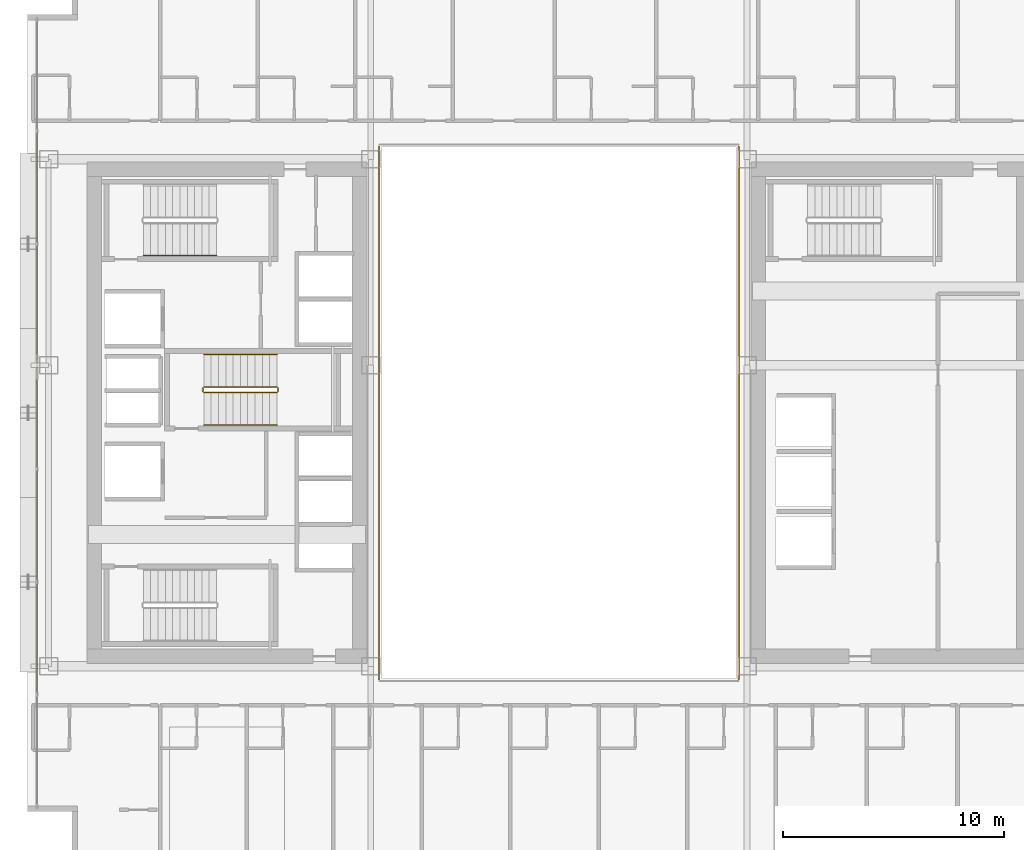
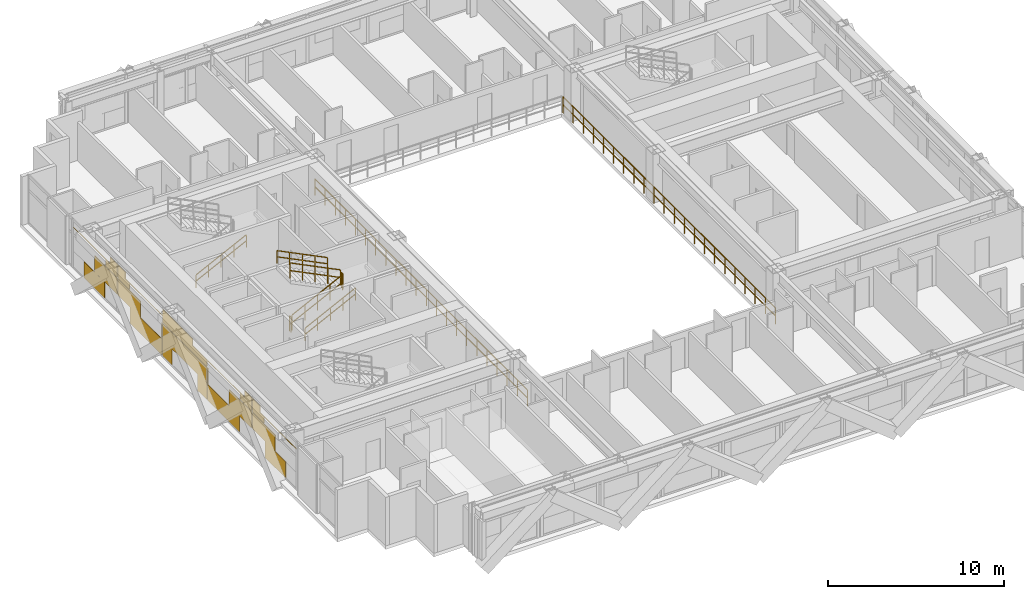
# One storey, part 34 of 36: 9 railings, 1 covering.
"""IFC4 building model written with IfcOpenShell, lengths in metres."""

from ifc_helpers import new_model, si_unit, direction, frame, origin, origin_2d, place, context, subcontext, project, spatial, rectangle, extrude, material, layer, layer_set, type_object, element, save


model = new_model("IFC4")

# Units and contexts
model_context = context("Model", 3, precision=1e-05, world=origin(), true_north=direction((0.0, 1.0)))
body_context = subcontext(model_context, "Body", "Model", "MODEL_VIEW")
ifc_project = project(units=[si_unit("LENGTHUNIT", "METRE"), si_unit("AREAUNIT", "SQUARE_METRE"), si_unit("VOLUMEUNIT", "CUBIC_METRE"), si_unit("PLANEANGLEUNIT", "RADIAN"), si_unit("MASSUNIT", "GRAM", prefix="KILO")], contexts=[model_context])

# Site, building, storey
site_placement = place(None, origin())
site = spatial("IfcSite", under=ifc_project, at=site_placement, CompositionType="ELEMENT")
building_placement = place(site_placement, origin())
building = spatial("IfcBuilding", under=site, at=building_placement, Name="Ocotamira Hotel", CompositionType="ELEMENT")
storey_placement = place(building_placement, frame((0.0, 0.0, 133.199951171875)))
storey = spatial("IfcBuildingStorey", under=building, at=storey_placement, Name="L33", CompositionType="ELEMENT", Elevation=133.199951171875)

# Covering
ifc_material_1 = material(Name="Insulated pale-metal aluminium spandrel panel", Category="aluminium")
ifc_layer = layer(ifc_material_1, 0.044921875)
ifc_layer_set = layer_set([ifc_layer], Name="Insulated pale-metal aluminium spandrel panel")
covering_type = type_object("IfcCoveringType", Name="COV-INFILL-45", PredefinedType="CLADDING", material=ifc_layer_set)
covering_placement = place(storey_placement, origin())
element("IfcCovering", 1, at=covering_placement, inside=storey, type_object=covering_type, Name="L33 Curtain Wall Infill CW-3 CW-L33-W", PredefinedType="CLADDING", context=body_context, shape_type="SweptSolid", body=[
    extrude(rectangle(XDim=2.35107421875, YDim=0.044921875, at=origin_2d()), frame((8.419921875, 15.741943359375, 0.07568359375), z_axis=(0.0, 0.0, 1.0), x_axis=(0.0, 1.0, 0.0)), (0.0, 0.0, 1.0), 1.117919921875),
    extrude(rectangle(XDim=2.578369140625, YDim=0.044921875, at=origin_2d()), frame((8.419921875, 17.041748046875, 1.1943359375), z_axis=(0.0, 0.0, 1.0), x_axis=(0.0, 1.0, 0.0)), (0.0, 0.0, 1.0), 1.11767578125),
    extrude(rectangle(XDim=5.004638671875, YDim=0.044921875, at=origin_2d()), frame((8.419921875, 15.82861328125, 2.802490234375), z_axis=(0.0, 0.0, 1.0), x_axis=(0.0, 1.0, 0.0)), (0.0, 0.0, 1.0), 0.033203125),
    extrude(rectangle(XDim=1.312744140625, YDim=0.044921875, at=origin_2d()), frame((8.419921875, 17.674560546875, 2.38818359375), z_axis=(0.0, 0.0, 1.0), x_axis=(0.0, 1.0, 0.0)), (0.0, 0.0, 1.0), 0.413330078125),
    extrude(rectangle(XDim=0.837158203125, YDim=0.044921875, at=origin_2d()), frame((8.419921875, 17.912353515625, 2.836669921875), z_axis=(0.0, 0.0, 1.0), x_axis=(0.0, 1.0, 0.0)), (0.0, 0.0, 1.0), 0.44775390625),
    extrude(rectangle(XDim=2.568603515625, YDim=0.044921875, at=origin_2d()), frame((8.419921875, 19.6962890625, 1.1943359375), z_axis=(0.0, 0.0, 1.0), x_axis=(0.0, 1.0, 0.0)), (0.0, 0.0, 1.0), 1.11767578125),
    extrude(rectangle(XDim=3.600830078125, YDim=0.044921875, at=origin_2d()), frame((8.419921875, 21.6162109375, 0.07568359375), z_axis=(0.0, 0.0, 1.0), x_axis=(0.0, 1.0, 0.0)), (0.0, 0.0, 1.0), 1.117919921875),
    extrude(rectangle(XDim=0.03076171875, YDim=0.044921875, at=origin_2d()), frame((8.419921875, 23.4013671875, 1.1943359375), z_axis=(0.0, 0.0, 1.0), x_axis=(0.0, 1.0, 0.0)), (0.0, 0.0, 1.0), 1.11767578125),
    extrude(rectangle(XDim=1.302978515625, YDim=0.044921875, at=origin_2d()), frame((8.419921875, 19.0634765625, 2.38818359375), z_axis=(0.0, 0.0, 1.0), x_axis=(0.0, 1.0, 0.0)), (0.0, 0.0, 1.0), 0.413330078125),
    extrude(rectangle(XDim=5.004638671875, YDim=0.044921875, at=origin_2d()), frame((8.419921875, 20.914306640625, 2.802490234375), z_axis=(0.0, 0.0, 1.0), x_axis=(0.0, 1.0, 0.0)), (0.0, 0.0, 1.0), 0.033203125),
    extrude(rectangle(XDim=0.827392578125, YDim=0.044921875, at=origin_2d()), frame((8.419921875, 18.82568359375, 2.836669921875), z_axis=(0.0, 0.0, 1.0), x_axis=(0.0, 1.0, 0.0)), (0.0, 0.0, 1.0), 0.44775390625),
    extrude(rectangle(XDim=1.05322265625, YDim=0.044921875, at=origin_2d()), frame((8.419921875, 24.0244140625, 0.07568359375), z_axis=(0.0, 0.0, 1.0), x_axis=(0.0, 1.0, 0.0)), (0.0, 0.0, 1.0), 1.117919921875),
    extrude(rectangle(XDim=5.004638671875, YDim=0.044921875, at=origin_2d()), frame((8.419921875, 26.0, 1.1943359375), z_axis=(0.0, 0.0, 1.0), x_axis=(0.0, 1.0, 0.0)), (0.0, 0.0, 1.0), 1.11767578125),
    extrude(rectangle(XDim=1.05322265625, YDim=0.044921875, at=origin_2d()), frame((8.419921875, 27.9755859375, 0.07568359375), z_axis=(0.0, 0.0, 1.0), x_axis=(0.0, 1.0, 0.0)), (0.0, 0.0, 1.0), 1.117919921875),
    extrude(rectangle(XDim=5.004638671875, YDim=0.044921875, at=origin_2d()), frame((8.419921875, 26.0, 2.387939453125), z_axis=(0.0, 0.0, 1.0), x_axis=(0.0, 1.0, 0.0)), (0.0, 0.0, 1.0), 0.44775390625),
    extrude(rectangle(XDim=3.375, YDim=0.044921875, at=origin_2d()), frame((8.419921875, 26.814697265625, 2.836669921875), z_axis=(0.0, 0.0, 1.0), x_axis=(0.0, 1.0, 0.0)), (0.0, 0.0, 1.0), 0.44775390625),
    extrude(rectangle(XDim=3.600830078125, YDim=0.044921875, at=origin_2d()), frame((8.419921875, 30.3837890625, 0.07568359375), z_axis=(0.0, 0.0, 1.0), x_axis=(0.0, 1.0, 0.0)), (0.0, 0.0, 1.0), 1.117919921875),
    extrude(rectangle(XDim=0.03076171875, YDim=0.044921875, at=origin_2d()), frame((8.419921875, 28.5986328125, 1.1943359375), z_axis=(0.0, 0.0, 1.0), x_axis=(0.0, 1.0, 0.0)), (0.0, 0.0, 1.0), 1.11767578125),
    extrude(rectangle(XDim=2.568603515625, YDim=0.044921875, at=origin_2d()), frame((8.419921875, 32.3037109375, 1.1943359375), z_axis=(0.0, 0.0, 1.0), x_axis=(0.0, 1.0, 0.0)), (0.0, 0.0, 1.0), 1.11767578125),
    extrude(rectangle(XDim=5.004638671875, YDim=0.044921875, at=origin_2d()), frame((8.419921875, 31.085693359375, 2.802490234375), z_axis=(0.0, 0.0, 1.0), x_axis=(0.0, 1.0, 0.0)), (0.0, 0.0, 1.0), 0.033203125),
    extrude(rectangle(XDim=1.302978515625, YDim=0.044921875, at=origin_2d()), frame((8.419921875, 32.9365234375, 2.38818359375), z_axis=(0.0, 0.0, 1.0), x_axis=(0.0, 1.0, 0.0)), (0.0, 0.0, 1.0), 0.413330078125),
    extrude(rectangle(XDim=0.827392578125, YDim=0.044921875, at=origin_2d()), frame((8.419921875, 33.17431640625, 2.836669921875), z_axis=(0.0, 0.0, 1.0), x_axis=(0.0, 1.0, 0.0)), (0.0, 0.0, 1.0), 0.44775390625),
    extrude(rectangle(XDim=2.578369140625, YDim=0.044921875, at=origin_2d()), frame((8.419921875, 34.958251953125, 1.1943359375), z_axis=(0.0, 0.0, 1.0), x_axis=(0.0, 1.0, 0.0)), (0.0, 0.0, 1.0), 1.11767578125),
    extrude(rectangle(XDim=2.35107421875, YDim=0.044921875, at=origin_2d()), frame((8.419921875, 36.258056640625, 0.07568359375), z_axis=(0.0, 0.0, 1.0), x_axis=(0.0, 1.0, 0.0)), (0.0, 0.0, 1.0), 1.117919921875),
    extrude(rectangle(XDim=1.312744140625, YDim=0.044921875, at=origin_2d()), frame((8.419921875, 34.325439453125, 2.38818359375), z_axis=(0.0, 0.0, 1.0), x_axis=(0.0, 1.0, 0.0)), (0.0, 0.0, 1.0), 0.413330078125),
    extrude(rectangle(XDim=5.004638671875, YDim=0.044921875, at=origin_2d()), frame((8.419921875, 36.17138671875, 2.802490234375), z_axis=(0.0, 0.0, 1.0), x_axis=(0.0, 1.0, 0.0)), (0.0, 0.0, 1.0), 0.033203125),
    extrude(rectangle(XDim=0.837158203125, YDim=0.044921875, at=origin_2d()), frame((8.419921875, 34.087646484375, 2.836669921875), z_axis=(0.0, 0.0, 1.0), x_axis=(0.0, 1.0, 0.0)), (0.0, 0.0, 1.0), 0.44775390625),
])

# Railings
ifc_material_2 = material(Name="Painted steel stair guardrail", Category="steel")
railing_type_1 = type_object("IfcRailingType", Name="RL-EDGE-1150", PredefinedType="GUARDRAIL", material=ifc_material_2)
railing_1_placement = place(storey_placement, frame((40.1201171875, 13.9599609375, 0.0)))
element("IfcRailing", 2, at=railing_1_placement, inside=storey, type_object=railing_type_1, Name="L33 Central Atrium Edge Guardrail E", PredefinedType="GUARDRAIL", context=body_context, shape_type="SweptSolid", body=[
    extrude(rectangle(XDim=0.048095703125, YDim=0.048095703125, at=origin_2d()), frame((0.0, 0.0, 1.1259765625), z_axis=(0.0, 1.0, 0.0), x_axis=(-1.0, 0.0, 0.0)), (0.0, 0.0, 1.0), 24.080078125),
    extrude(rectangle(XDim=0.048095703125, YDim=0.048095703125, at=origin_2d()), frame((0.0, 0.0, 0.574951171875), z_axis=(0.0, 1.0, 0.0), x_axis=(-1.0, 0.0, 0.0)), (0.0, 0.0, 1.0), 24.080078125),
    extrude(rectangle(XDim=0.0419921875, YDim=0.0419921875, at=origin_2d()), origin(), (0.0, 0.0, 1.0), 1.101806640625),
    extrude(rectangle(XDim=0.0419921875, YDim=0.0419921875, at=origin_2d()), frame((0.0, 1.146728515625, 0.0)), (0.0, 0.0, 1.0), 1.101806640625),
    extrude(rectangle(XDim=0.0419921875, YDim=0.0419921875, at=origin_2d()), frame((0.0, 2.29345703125, 0.0)), (0.0, 0.0, 1.0), 1.101806640625),
    extrude(rectangle(XDim=0.0419921875, YDim=0.0419921875, at=origin_2d()), frame((0.0, 3.43994140625, 0.0)), (0.0, 0.0, 1.0), 1.101806640625),
    extrude(rectangle(XDim=0.0419921875, YDim=0.0419921875, at=origin_2d()), frame((0.0, 4.586669921875, 0.0)), (0.0, 0.0, 1.0), 1.101806640625),
    extrude(rectangle(XDim=0.0419921875, YDim=0.0419921875, at=origin_2d()), frame((0.0, 5.7333984375, 0.0)), (0.0, 0.0, 1.0), 1.101806640625),
    extrude(rectangle(XDim=0.0419921875, YDim=0.0419921875, at=origin_2d()), frame((0.0, 6.880126953125, 0.0)), (0.0, 0.0, 1.0), 1.101806640625),
    extrude(rectangle(XDim=0.0419921875, YDim=0.0419921875, at=origin_2d()), frame((0.0, 8.026611328125, 0.0)), (0.0, 0.0, 1.0), 1.101806640625),
    extrude(rectangle(XDim=0.0419921875, YDim=0.0419921875, at=origin_2d()), frame((0.0, 9.17333984375, 0.0)), (0.0, 0.0, 1.0), 1.101806640625),
    extrude(rectangle(XDim=0.0419921875, YDim=0.0419921875, at=origin_2d()), frame((0.0, 10.320068359375, 0.0)), (0.0, 0.0, 1.0), 1.101806640625),
    extrude(rectangle(XDim=0.0419921875, YDim=0.0419921875, at=origin_2d()), frame((0.0, 11.466796875, 0.0)), (0.0, 0.0, 1.0), 1.101806640625),
    extrude(rectangle(XDim=0.0419921875, YDim=0.0419921875, at=origin_2d()), frame((0.0, 12.61328125, 0.0)), (0.0, 0.0, 1.0), 1.101806640625),
    extrude(rectangle(XDim=0.0419921875, YDim=0.0419921875, at=origin_2d()), frame((0.0, 13.760009765625, 0.0)), (0.0, 0.0, 1.0), 1.101806640625),
    extrude(rectangle(XDim=0.0419921875, YDim=0.0419921875, at=origin_2d()), frame((0.0, 14.90673828125, 0.0)), (0.0, 0.0, 1.0), 1.101806640625),
    extrude(rectangle(XDim=0.0419921875, YDim=0.0419921875, at=origin_2d()), frame((0.0, 16.053466796875, 0.0)), (0.0, 0.0, 1.0), 1.101806640625),
    extrude(rectangle(XDim=0.0419921875, YDim=0.0419921875, at=origin_2d()), frame((0.0, 17.199951171875, 0.0)), (0.0, 0.0, 1.0), 1.101806640625),
    extrude(rectangle(XDim=0.0419921875, YDim=0.0419921875, at=origin_2d()), frame((0.0, 18.3466796875, 0.0)), (0.0, 0.0, 1.0), 1.101806640625),
    extrude(rectangle(XDim=0.0419921875, YDim=0.0419921875, at=origin_2d()), frame((0.0, 19.493408203125, 0.0)), (0.0, 0.0, 1.0), 1.101806640625),
    extrude(rectangle(XDim=0.0419921875, YDim=0.0419921875, at=origin_2d()), frame((0.0, 20.64013671875, 0.0)), (0.0, 0.0, 1.0), 1.101806640625),
    extrude(rectangle(XDim=0.0419921875, YDim=0.0419921875, at=origin_2d()), frame((0.0, 21.78662109375, 0.0)), (0.0, 0.0, 1.0), 1.101806640625),
    extrude(rectangle(XDim=0.0419921875, YDim=0.0419921875, at=origin_2d()), frame((0.0, 22.933349609375, 0.0)), (0.0, 0.0, 1.0), 1.101806640625),
    extrude(rectangle(XDim=0.0419921875, YDim=0.0419921875, at=origin_2d()), frame((0.0, 24.080078125, 0.0)), (0.0, 0.0, 1.0), 1.101806640625),
])
railing_2_placement = place(storey_placement, frame((23.8798828125, 38.0400390625, 0.0)))
element("IfcRailing", 3, at=railing_2_placement, inside=storey, type_object=railing_type_1, Name="L33 Central Atrium Edge Guardrail W", PredefinedType="GUARDRAIL", context=body_context, shape_type="SweptSolid", body=[
    extrude(rectangle(XDim=0.048095703125, YDim=0.048095703125, at=origin_2d()), frame((0.0, 0.0, 1.1259765625), z_axis=(0.0, -1.0, 0.0), x_axis=(1.0, 0.0, 0.0)), (0.0, 0.0, 1.0), 24.080078125),
    extrude(rectangle(XDim=0.048095703125, YDim=0.048095703125, at=origin_2d()), frame((0.0, 0.0, 0.574951171875), z_axis=(0.0, -1.0, 0.0), x_axis=(1.0, 0.0, 0.0)), (0.0, 0.0, 1.0), 24.080078125),
    extrude(rectangle(XDim=0.0419921875, YDim=0.0419921875, at=origin_2d()), origin(), (0.0, 0.0, 1.0), 1.101806640625),
    extrude(rectangle(XDim=0.0419921875, YDim=0.0419921875, at=origin_2d()), frame((0.0, -1.146728515625, 0.0)), (0.0, 0.0, 1.0), 1.101806640625),
    extrude(rectangle(XDim=0.0419921875, YDim=0.0419921875, at=origin_2d()), frame((0.0, -2.29345703125, 0.0)), (0.0, 0.0, 1.0), 1.101806640625),
    extrude(rectangle(XDim=0.0419921875, YDim=0.0419921875, at=origin_2d()), frame((0.0, -3.43994140625, 0.0)), (0.0, 0.0, 1.0), 1.101806640625),
    extrude(rectangle(XDim=0.0419921875, YDim=0.0419921875, at=origin_2d()), frame((0.0, -4.586669921875, 0.0)), (0.0, 0.0, 1.0), 1.101806640625),
    extrude(rectangle(XDim=0.0419921875, YDim=0.0419921875, at=origin_2d()), frame((0.0, -5.7333984375, 0.0)), (0.0, 0.0, 1.0), 1.101806640625),
    extrude(rectangle(XDim=0.0419921875, YDim=0.0419921875, at=origin_2d()), frame((0.0, -6.880126953125, 0.0)), (0.0, 0.0, 1.0), 1.101806640625),
    extrude(rectangle(XDim=0.0419921875, YDim=0.0419921875, at=origin_2d()), frame((0.0, -8.026611328125, 0.0)), (0.0, 0.0, 1.0), 1.101806640625),
    extrude(rectangle(XDim=0.0419921875, YDim=0.0419921875, at=origin_2d()), frame((0.0, -9.17333984375, 0.0)), (0.0, 0.0, 1.0), 1.101806640625),
    extrude(rectangle(XDim=0.0419921875, YDim=0.0419921875, at=origin_2d()), frame((0.0, -10.320068359375, 0.0)), (0.0, 0.0, 1.0), 1.101806640625),
    extrude(rectangle(XDim=0.0419921875, YDim=0.0419921875, at=origin_2d()), frame((0.0, -11.466796875, 0.0)), (0.0, 0.0, 1.0), 1.101806640625),
    extrude(rectangle(XDim=0.0419921875, YDim=0.0419921875, at=origin_2d()), frame((0.0, -12.61328125, 0.0)), (0.0, 0.0, 1.0), 1.101806640625),
    extrude(rectangle(XDim=0.0419921875, YDim=0.0419921875, at=origin_2d()), frame((0.0, -13.760009765625, 0.0)), (0.0, 0.0, 1.0), 1.101806640625),
    extrude(rectangle(XDim=0.0419921875, YDim=0.0419921875, at=origin_2d()), frame((0.0, -14.90673828125, 0.0)), (0.0, 0.0, 1.0), 1.101806640625),
    extrude(rectangle(XDim=0.0419921875, YDim=0.0419921875, at=origin_2d()), frame((0.0, -16.053466796875, 0.0)), (0.0, 0.0, 1.0), 1.101806640625),
    extrude(rectangle(XDim=0.0419921875, YDim=0.0419921875, at=origin_2d()), frame((0.0, -17.199951171875, 0.0)), (0.0, 0.0, 1.0), 1.101806640625),
    extrude(rectangle(XDim=0.0419921875, YDim=0.0419921875, at=origin_2d()), frame((0.0, -18.3466796875, 0.0)), (0.0, 0.0, 1.0), 1.101806640625),
    extrude(rectangle(XDim=0.0419921875, YDim=0.0419921875, at=origin_2d()), frame((0.0, -19.493408203125, 0.0)), (0.0, 0.0, 1.0), 1.101806640625),
    extrude(rectangle(XDim=0.0419921875, YDim=0.0419921875, at=origin_2d()), frame((0.0, -20.64013671875, 0.0)), (0.0, 0.0, 1.0), 1.101806640625),
    extrude(rectangle(XDim=0.0419921875, YDim=0.0419921875, at=origin_2d()), frame((0.0, -21.78662109375, 0.0)), (0.0, 0.0, 1.0), 1.101806640625),
    extrude(rectangle(XDim=0.0419921875, YDim=0.0419921875, at=origin_2d()), frame((0.0, -22.933349609375, 0.0)), (0.0, 0.0, 1.0), 1.101806640625),
    extrude(rectangle(XDim=0.0419921875, YDim=0.0419921875, at=origin_2d()), frame((0.0, -24.080078125, 0.0)), (0.0, 0.0, 1.0), 1.101806640625),
])
ifc_material_3 = material(Name="Brushed stainless steel handrail", Category="steel")
railing_type_2 = type_object("IfcRailingType", Name="RL-HAND-900", PredefinedType="HANDRAIL", material=ifc_material_3)
for number, where, name in (
    (4, (13.22998046875, 33.10009765625, 0.327392578125), "L33 ST-2 stair handrail 1"),
    (5, (15.9599609375, 25.449951171875, 0.327392578125), "L33 ST-3 stair handrail 1"),
):
    element("IfcRailing", number, at=place(storey_placement, frame(where)), inside=storey, type_object=railing_type_2, Name=name, PredefinedType="HANDRAIL", context=body_context, shape_type="SweptSolid", body=[
        extrude(rectangle(XDim=0.048095703125, YDim=0.048095703125, at=origin_2d()), frame((0.0, 0.0, 0.8759765625), z_axis=(0.895920123917, 0.0, 0.444215186098), x_axis=(0.0, 1.0, 0.0)), (0.0, 0.0, 1.0), 3.683349609375),
        extrude(rectangle(XDim=0.048095703125, YDim=0.048095703125, at=origin_2d()), frame((0.0, 0.0, 0.449951171875), z_axis=(0.895920123917, 0.0, 0.444215186098), x_axis=(0.0, 1.0, 0.0)), (0.0, 0.0, 1.0), 3.683349609375),
        extrude(rectangle(XDim=0.0419921875, YDim=0.0419921875, at=origin_2d()), origin(), (0.0, 0.0, 1.0), 0.851806640625),
        extrude(rectangle(XDim=0.0419921875, YDim=0.0419921875, at=origin_2d()), frame((0.824951171875, 0.0, 0.4091796875)), (0.0, 0.0, 1.0), 0.851806640625),
        extrude(rectangle(XDim=0.0419921875, YDim=0.0419921875, at=origin_2d()), frame((1.64990234375, 0.0, 0.818115234375)), (0.0, 0.0, 1.0), 0.851806640625),
        extrude(rectangle(XDim=0.0419921875, YDim=0.0419921875, at=origin_2d()), frame((2.47509765625, 0.0, 1.22705078125)), (0.0, 0.0, 1.0), 0.851806640625),
        extrude(rectangle(XDim=0.0419921875, YDim=0.0419921875, at=origin_2d()), frame((3.300048828125, 0.0, 1.63623046875)), (0.0, 0.0, 1.0), 0.851806640625),
    ])
railing_3_placement = place(storey_placement, frame((19.260009765625, 28.6298828125, 2.12744140625)))
element("IfcRailing", 6, at=railing_3_placement, inside=storey, type_object=railing_type_2, Name="L33 ST-3 stair handrail 2", PredefinedType="HANDRAIL", context=body_context, shape_type="SweptSolid", body=[
    extrude(rectangle(XDim=0.048095703125, YDim=0.048095703125, at=origin_2d()), frame((0.0, 0.0, 0.8759765625), z_axis=(-0.895920123917, 0.0, 0.444215186098), x_axis=(0.0, -1.0, 0.0)), (0.0, 0.0, 1.0), 3.683349609375),
    extrude(rectangle(XDim=0.048095703125, YDim=0.048095703125, at=origin_2d()), frame((0.0, 0.0, 0.449951171875), z_axis=(-0.895920123917, 0.0, 0.444215186098), x_axis=(0.0, -1.0, 0.0)), (0.0, 0.0, 1.0), 3.683349609375),
    extrude(rectangle(XDim=0.0419921875, YDim=0.0419921875, at=origin_2d()), origin(), (0.0, 0.0, 1.0), 0.851806640625),
    extrude(rectangle(XDim=0.0419921875, YDim=0.0419921875, at=origin_2d()), frame((-0.824951171875, 0.0, 0.4091796875)), (0.0, 0.0, 1.0), 0.851806640625),
    extrude(rectangle(XDim=0.0419921875, YDim=0.0419921875, at=origin_2d()), frame((-1.64990234375, 0.0, 0.818115234375)), (0.0, 0.0, 1.0), 0.851806640625),
    extrude(rectangle(XDim=0.0419921875, YDim=0.0419921875, at=origin_2d()), frame((-2.47509765625, 0.0, 1.22705078125)), (0.0, 0.0, 1.0), 0.851806640625),
    extrude(rectangle(XDim=0.0419921875, YDim=0.0419921875, at=origin_2d()), frame((-3.300048828125, 0.0, 1.63623046875)), (0.0, 0.0, 1.0), 0.851806640625),
])
railing_type_3 = type_object("IfcRailingType", Name="RL-STAIR-1100", PredefinedType="GUARDRAIL", material=ifc_material_2)
railing_4_placement = place(storey_placement, frame((15.9599609375, 26.909912109375, 0.16357421875)))
element("IfcRailing", 7, at=railing_4_placement, inside=storey, type_object=railing_type_3, Name="L33 ST-3 stair guard 1", PredefinedType="GUARDRAIL", context=body_context, shape_type="SweptSolid", body=[
    extrude(rectangle(XDim=0.048095703125, YDim=0.048095703125, at=origin_2d()), frame((0.0, 0.0, 1.076171875), z_axis=(0.895893744519, 0.0, 0.4442683857), x_axis=(0.0, 1.0, 0.0)), (0.0, 0.0, 1.0), 3.68359375),
    extrude(rectangle(XDim=0.048095703125, YDim=0.048095703125, at=origin_2d()), frame((0.0, 0.0, 0.550048828125), z_axis=(0.895893744519, 0.0, 0.4442683857), x_axis=(0.0, 1.0, 0.0)), (0.0, 0.0, 1.0), 3.68359375),
    extrude(rectangle(XDim=0.0419921875, YDim=0.0419921875, at=origin_2d()), origin(), (0.0, 0.0, 1.0), 1.052001953125),
    extrude(rectangle(XDim=0.0419921875, YDim=0.0419921875, at=origin_2d()), frame((0.824951171875, 0.0, 0.4091796875)), (0.0, 0.0, 1.0), 1.052001953125),
    extrude(rectangle(XDim=0.0419921875, YDim=0.0419921875, at=origin_2d()), frame((1.64990234375, 0.0, 0.818359375)), (0.0, 0.0, 1.0), 1.052001953125),
    extrude(rectangle(XDim=0.0419921875, YDim=0.0419921875, at=origin_2d()), frame((2.47509765625, 0.0, 1.227294921875)), (0.0, 0.0, 1.0), 1.052001953125),
    extrude(rectangle(XDim=0.0419921875, YDim=0.0419921875, at=origin_2d()), frame((3.300048828125, 0.0, 1.636474609375)), (0.0, 0.0, 1.0), 1.052001953125),
])
railing_5_placement = place(storey_placement, frame((19.31005859375, 26.9599609375, 1.800048828125)))
element("IfcRailing", 8, at=railing_5_placement, inside=storey, type_object=railing_type_3, Name="L33 ST-3 stair guard 2", PredefinedType="GUARDRAIL", context=body_context, shape_type="SweptSolid", body=[
    extrude(rectangle(XDim=0.048095703125, YDim=0.048095703125, at=origin_2d()), frame((0.0, 0.0, 1.076171875), z_axis=(0.0, 1.0, 0.0), x_axis=(-1.0, 0.0, 0.0)), (0.0, 0.0, 1.0), 0.16015625),
    extrude(rectangle(XDim=0.048095703125, YDim=0.048095703125, at=origin_2d()), frame((0.0, 0.0, 0.550048828125), z_axis=(0.0, 1.0, 0.0), x_axis=(-1.0, 0.0, 0.0)), (0.0, 0.0, 1.0), 0.16015625),
    extrude(rectangle(XDim=0.0419921875, YDim=0.0419921875, at=origin_2d()), origin(), (0.0, 0.0, 1.0), 1.052001953125),
    extrude(rectangle(XDim=0.0419921875, YDim=0.0419921875, at=origin_2d()), frame((0.0, 0.16015625, 0.0)), (0.0, 0.0, 1.0), 1.052001953125),
])
railing_6_placement = place(storey_placement, frame((19.260009765625, 27.169921875, 1.963623046875)))
element("IfcRailing", 9, at=railing_6_placement, inside=storey, type_object=railing_type_3, Name="L33 ST-3 stair guard 3", PredefinedType="GUARDRAIL", context=body_context, shape_type="SweptSolid", body=[
    extrude(rectangle(XDim=0.048095703125, YDim=0.048095703125, at=origin_2d()), frame((0.0, 0.0, 1.076171875), z_axis=(-0.895893744519, 0.0, 0.4442683857), x_axis=(0.0, -1.0, 0.0)), (0.0, 0.0, 1.0), 3.68359375),
    extrude(rectangle(XDim=0.048095703125, YDim=0.048095703125, at=origin_2d()), frame((0.0, 0.0, 0.550048828125), z_axis=(-0.895893744519, 0.0, 0.4442683857), x_axis=(0.0, -1.0, 0.0)), (0.0, 0.0, 1.0), 3.68359375),
    extrude(rectangle(XDim=0.0419921875, YDim=0.0419921875, at=origin_2d()), origin(), (0.0, 0.0, 1.0), 1.052001953125),
    extrude(rectangle(XDim=0.0419921875, YDim=0.0419921875, at=origin_2d()), frame((-0.824951171875, 0.0, 0.4091796875)), (0.0, 0.0, 1.0), 1.052001953125),
    extrude(rectangle(XDim=0.0419921875, YDim=0.0419921875, at=origin_2d()), frame((-1.64990234375, 0.0, 0.818359375)), (0.0, 0.0, 1.0), 1.052001953125),
    extrude(rectangle(XDim=0.0419921875, YDim=0.0419921875, at=origin_2d()), frame((-2.47509765625, 0.0, 1.227294921875)), (0.0, 0.0, 1.0), 1.052001953125),
    extrude(rectangle(XDim=0.0419921875, YDim=0.0419921875, at=origin_2d()), frame((-3.300048828125, 0.0, 1.636474609375)), (0.0, 0.0, 1.0), 1.052001953125),
])
railing_7_placement = place(storey_placement, frame((15.909912109375, 26.9599609375, 0.0)))
element("IfcRailing", 10, at=railing_7_placement, inside=storey, type_object=railing_type_3, Name="L33 ST-3 stair guard 4", PredefinedType="GUARDRAIL", context=body_context, shape_type="SweptSolid", body=[
    extrude(rectangle(XDim=0.048095703125, YDim=0.048095703125, at=origin_2d()), frame((0.0, 0.0, 1.076171875), z_axis=(0.0, 1.0, 0.0), x_axis=(-1.0, 0.0, 0.0)), (0.0, 0.0, 1.0), 0.16015625),
    extrude(rectangle(XDim=0.048095703125, YDim=0.048095703125, at=origin_2d()), frame((0.0, 0.0, 0.550048828125), z_axis=(0.0, 1.0, 0.0), x_axis=(-1.0, 0.0, 0.0)), (0.0, 0.0, 1.0), 0.16015625),
    extrude(rectangle(XDim=0.0419921875, YDim=0.0419921875, at=origin_2d()), origin(), (0.0, 0.0, 1.0), 1.052001953125),
    extrude(rectangle(XDim=0.0419921875, YDim=0.0419921875, at=origin_2d()), frame((0.0, 0.16015625, 0.0)), (0.0, 0.0, 1.0), 1.052001953125),
])

save(model, "model.ifc")
